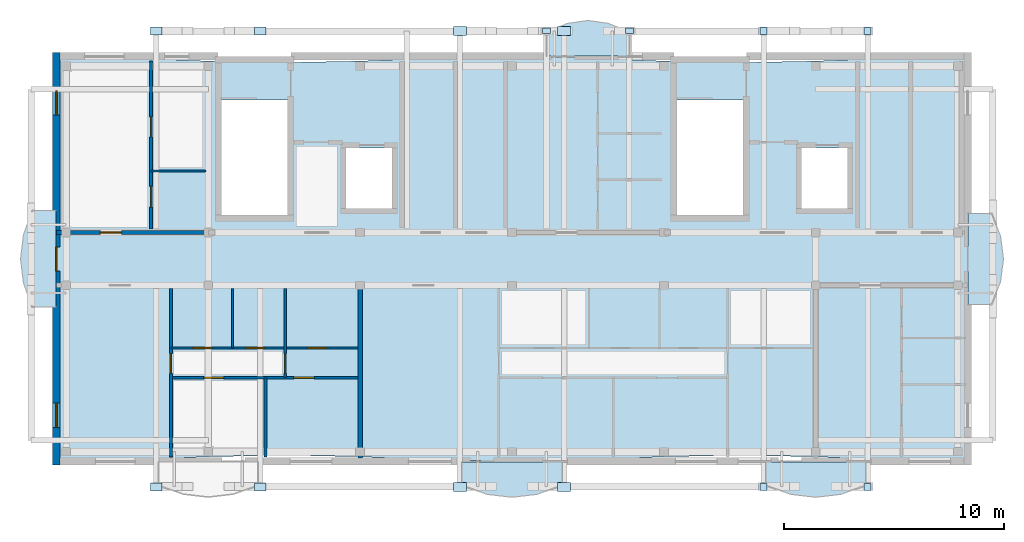
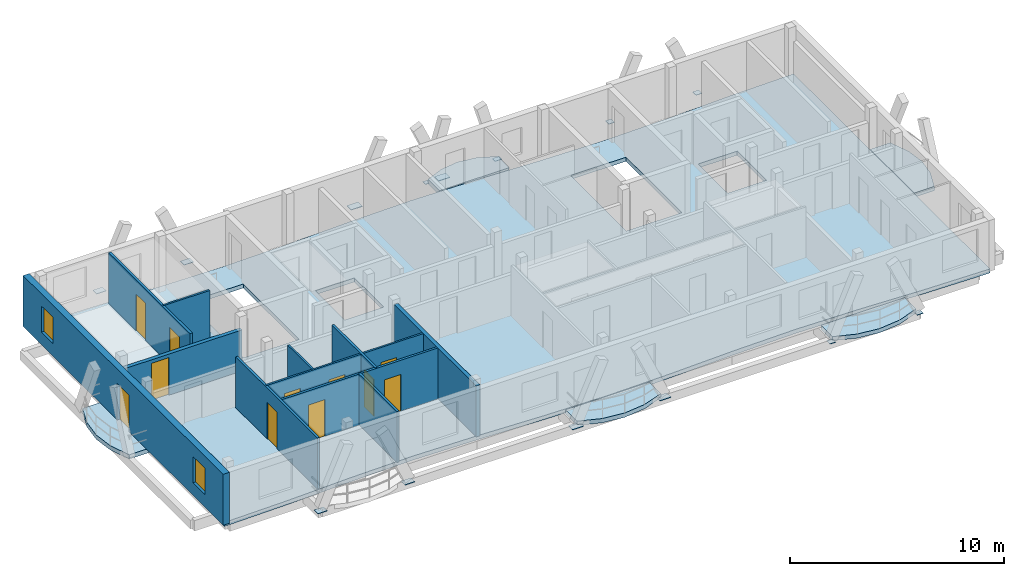
# One storey, part 2 of 7: 14 plates, 11 doors, 11 walls, 6 slabs, 2 windows, 13 openings.
"""IFC4 building model written with IfcOpenShell, lengths in metres."""

from ifc_helpers import new_model, si_unit, direction, frame, frame_2d, origin, origin_with_axes, origin_2d, place, context, subcontext, project, spatial, polyline, rectangle, outline, extrude, material, layer, layer_set, type_object, element, fill, save


model = new_model("IFC4")

# Units and contexts
model_context = context("Model", 3, precision=1e-05, world=origin(), true_north=direction((0.0, 1.0)))
body_context = subcontext(model_context, "Body", "Model", "MODEL_VIEW")
ifc_project = project(units=[si_unit("LENGTHUNIT", "METRE"), si_unit("AREAUNIT", "SQUARE_METRE"), si_unit("VOLUMEUNIT", "CUBIC_METRE"), si_unit("PLANEANGLEUNIT", "RADIAN"), si_unit("MASSUNIT", "GRAM", prefix="KILO")], contexts=[model_context])

# Site, building, storey
site_placement = place(None, origin())
site = spatial("IfcSite", under=ifc_project, at=site_placement, CompositionType="ELEMENT")
building_placement = place(site_placement, origin())
building = spatial("IfcBuilding", under=site, at=building_placement, Name="Zavelmont Quarter", CompositionType="ELEMENT")
storey_placement = place(building_placement, frame((0.0, 0.0, 46.39990234375)))
storey = spatial("IfcBuildingStorey", under=building, at=storey_placement, Name="L14", CompositionType="ELEMENT", Elevation=46.39990234375)

# Plates
ifc_material_1 = material(Name="Steel S355", Category="steel")
ifc_layer_1 = layer(ifc_material_1, 0.02392578125)
ifc_layer_set_1 = layer_set([ifc_layer_1], Name="Steel S355")
plate_type_1 = type_object("IfcPlateType", Name="NP02", PredefinedType="SHEET", material=ifc_layer_set_1)
for number, where, z_axis, x_axis, name in (
    (1, (22.267578125, 19.56201171875, -0.2119140625), (0.0, 0.0, 1.0), (1.0, 0.0, 0.0), "L14 steel connection plate NP02 at 4/D"),
    (2, (26.032470703125, 19.56201171875, -0.2119140625), (0.0, 0.0, 1.0), (1.0, 0.0, 0.0), "L14 steel connection plate NP02 at 5/D"),
):
    element("IfcPlate", number, at=place(storey_placement, frame(where, z_axis=z_axis, x_axis=x_axis)), inside=storey, type_object=plate_type_1, Name=name, PredefinedType="SHEET", context=body_context, shape_type="SweptSolid", body=[
        extrude(rectangle(XDim=0.360107421875, YDim=0.260009765625, at=origin_2d()), origin(), (0.0, 0.0, 1.0), 0.02392578125),
    ])
ifc_layer_2 = layer(ifc_material_1, 0.028076171875)
ifc_layer_set_2 = layer_set([ifc_layer_2], Name="Steel S355")
plate_type_2 = type_object("IfcPlateType", Name="NP04", PredefinedType="SHEET", material=ifc_layer_set_2)
for number, where, z_axis, x_axis, name in (
    (3, (4.537109375, -1.162109375, -0.2138671875), (0.0, 0.0, 1.0), (1.0, 0.0, 0.0), "L14 steel connection plate NP04 at 2/A"),
    (4, (9.262939453125, -1.162109375, -0.2138671875), (0.0, 0.0, 1.0), (1.0, 0.0, 0.0), "L14 steel connection plate NP04 at 2/A"),
    (5, (4.537109375, 19.56201171875, -0.2138671875), (0.0, 0.0, 1.0), (1.0, 0.0, 0.0), "L14 steel connection plate NP04 at 2/D"),
    (6, (9.262939453125, 19.56201171875, -0.2138671875), (0.0, 0.0, 1.0), (1.0, 0.0, 0.0), "L14 steel connection plate NP04 at 2/D"),
):
    element("IfcPlate", number, at=place(storey_placement, frame(where, z_axis=z_axis, x_axis=x_axis)), inside=storey, type_object=plate_type_2, Name=name, PredefinedType="SHEET", context=body_context, shape_type="SweptSolid", body=[
        extrude(rectangle(XDim=0.52001953125, YDim=0.360107421875, at=origin_2d()), origin(), (0.0, 0.0, 1.0), 0.028076171875),
    ])
ifc_layer_3 = layer(ifc_material_1, 0.030029296875)
ifc_layer_set_3 = layer_set([ifc_layer_3], Name="Steel S355")
plate_type_3 = type_object("IfcPlateType", Name="NP05", PredefinedType="SHEET", material=ifc_layer_set_3)
for number, where, z_axis, x_axis, name in (
    (7, (18.3369140625, -1.162109375, -0.21484375), (0.0, 0.0, 1.0), (1.0, 0.0, 0.0), "L14 steel connection plate NP05 at 4/A"),
    (8, (23.06298828125, -1.162109375, -0.21484375), (0.0, 0.0, 1.0), (1.0, 0.0, 0.0), "L14 steel connection plate NP05 at 4/A"),
    (9, (18.3369140625, 19.56201171875, -0.21484375), (0.0, 0.0, 1.0), (1.0, 0.0, 0.0), "L14 steel connection plate NP05 at 4/D"),
    (10, (23.06298828125, 19.56201171875, -0.21484375), (0.0, 0.0, 1.0), (1.0, 0.0, 0.0), "L14 steel connection plate NP05 at 4/D"),
):
    element("IfcPlate", number, at=place(storey_placement, frame(where, z_axis=z_axis, x_axis=x_axis)), inside=storey, type_object=plate_type_3, Name=name, PredefinedType="SHEET", context=body_context, shape_type="SweptSolid", body=[
        extrude(rectangle(XDim=0.60009765625, YDim=0.39990234375, at=origin_2d()), origin(), (0.0, 0.0, 1.0), 0.030029296875),
    ])
ifc_layer_4 = layer(ifc_material_1, 0.02197265625)
ifc_layer_set_4 = layer_set([ifc_layer_4], Name="Steel S355")
plate_type_4 = type_object("IfcPlateType", Name="NP06", PredefinedType="SHEET", material=ifc_layer_set_4)
for number, where, z_axis, x_axis, name in (
    (11, (32.136962890625, -1.162109375, -0.2109375), (0.0, 0.0, 1.0), (1.0, 0.0, 0.0), "L14 steel connection plate NP06 at 6/A"),
    (12, (36.863037109375, -1.162109375, -0.2109375), (0.0, 0.0, 1.0), (1.0, 0.0, 0.0), "L14 steel connection plate NP06 at 6/A"),
    (13, (32.136962890625, 19.56201171875, -0.2109375), (0.0, 0.0, 1.0), (1.0, 0.0, 0.0), "L14 steel connection plate NP06 at 6/D"),
    (14, (36.863037109375, 19.56201171875, -0.2109375), (0.0, 0.0, 1.0), (1.0, 0.0, 0.0), "L14 steel connection plate NP06 at 6/D"),
):
    element("IfcPlate", number, at=place(storey_placement, frame(where, z_axis=z_axis, x_axis=x_axis)), inside=storey, type_object=plate_type_4, Name=name, PredefinedType="SHEET", context=body_context, shape_type="SweptSolid", body=[
        extrude(rectangle(XDim=0.320068359375, YDim=0.320068359375, at=origin_2d()), origin(), (0.0, 0.0, 1.0), 0.02197265625),
    ])

# Slabs
ifc_material_2 = material(Name="White architectural precast concrete C40/50", Category="concrete")
ifc_layer_5 = layer(ifc_material_2, 0.235107421875)
ifc_layer_set_5 = layer_set([ifc_layer_5], Name="White architectural precast concrete C40/50")
slab_type_1 = type_object("IfcSlabType", Name="SL-BL180", PredefinedType="FLOOR", material=ifc_layer_set_5)
slab_1_placement = place(storey_placement, frame((0.0, 0.0, -0.23486328125)))
element("IfcSlab", 15, at=slab_1_placement, inside=storey, type_object=slab_type_1, Name="L14 Block A street vase 3 balcony SL-BL180", PredefinedType="FLOOR", context=body_context, shape_type="SweptSolid", body=[
    extrude(outline(polyline([(32.237060546875, -0.02001953125), (32.237060546875, -1.10009765625), (33.368408203125, -1.4990234375), (34.5, -1.632080078125), (35.631591796875, -1.4990234375), (36.762939453125, -1.10009765625), (36.762939453125, -0.02001953125), (32.237060546875, -0.02001953125)])), origin(), (0.0, 0.0, 1.0), 0.23486328125),
])
slab_2_placement = place(storey_placement, frame((0.0, 0.0, -0.23486328125)))
element("IfcSlab", 16, at=slab_2_placement, inside=storey, type_object=slab_type_1, Name="L14 Block A courtyard return vase balcony SL-BL180", PredefinedType="FLOOR", context=body_context, shape_type="SweptSolid", body=[
    extrude(outline(polyline([(41.419921875, 7.132568359375), (42.5, 7.132568359375), (42.89892578125, 8.166259765625), (43.031982421875, 9.199951171875), (42.89892578125, 10.233642578125), (42.5, 11.267578125), (41.419921875, 11.267578125), (41.419921875, 7.132568359375)])), origin(), (0.0, 0.0, 1.0), 0.23486328125),
])
ifc_layer_6 = layer(ifc_material_2, 0.2451171875)
ifc_layer_set_6 = layer_set([ifc_layer_6], Name="White architectural precast concrete C40/50")
slab_type_2 = type_object("IfcSlabType", Name="SL-BL200", PredefinedType="FLOOR", material=ifc_layer_set_6)
slab_3_placement = place(storey_placement, frame((0.0, 0.0, -0.244873046875)))
element("IfcSlab", 17, at=slab_3_placement, inside=storey, type_object=slab_type_2, Name="L14 Block A street vase 2 balcony SL-BL200", PredefinedType="FLOOR", context=body_context, shape_type="SweptSolid", body=[
    extrude(outline(polyline([(18.43701171875, -0.02001953125), (18.43701171875, -1.10009765625), (19.568603515625, -1.4990234375), (20.699951171875, -1.632080078125), (21.83154296875, -1.4990234375), (22.962890625, -1.10009765625), (22.962890625, -0.02001953125), (18.43701171875, -0.02001953125)])), origin(), (0.0, 0.0, 1.0), 0.244873046875),
])
slab_4_placement = place(storey_placement, frame((0.0, 0.0, -0.244873046875)))
element("IfcSlab", 18, at=slab_4_placement, inside=storey, type_object=slab_type_2, Name="L14 Block A boulevard vase balcony SL-BL200", PredefinedType="FLOOR", context=body_context, shape_type="SweptSolid", body=[
    extrude(outline(polyline([(-0.02001953125, 11.391845703125), (-1.10009765625, 11.391845703125), (-1.4990234375, 10.2958984375), (-1.632080078125, 9.199951171875), (-1.4990234375, 8.10400390625), (-1.10009765625, 7.00830078125), (-0.02001953125, 7.00830078125), (-0.02001953125, 11.391845703125)])), origin(), (0.0, 0.0, 1.0), 0.244873046875),
])
ifc_layer_7 = layer(ifc_material_2, 0.2548828125)
ifc_layer_set_7 = layer_set([ifc_layer_7], Name="White architectural precast concrete C40/50")
slab_type_3 = type_object("IfcSlabType", Name="SL-BL220", PredefinedType="FLOOR", material=ifc_layer_set_7)
slab_5_placement = place(storey_placement, frame((0.0, 0.0, -0.2548828125)))
element("IfcSlab", 19, at=slab_5_placement, inside=storey, type_object=slab_type_3, Name="L14 Block A courtyard central vase balcony SL-BL220", PredefinedType="FLOOR", context=body_context, shape_type="SweptSolid", body=[
    extrude(outline(polyline([(26.032470703125, 18.419921875), (26.032470703125, 19.5), (25.09130859375, 19.89892578125), (24.14990234375, 20.031982421875), (23.208740234375, 19.89892578125), (22.267578125, 19.5), (22.267578125, 18.419921875), (26.032470703125, 18.419921875)])), origin(), (0.0, 0.0, 1.0), 0.2548828125),
])
ifc_material_3 = material(Name="Concrete C35/45", Category="concrete")
ifc_layer_8 = layer(ifc_material_3, 0.22998046875)
ifc_layer_set_8 = layer_set([ifc_layer_8], Name="Concrete C35/45")
slab_type_4 = type_object("IfcSlabType", Name="SL-FL230", PredefinedType="FLOOR", material=ifc_layer_set_8)
slab_6_placement = place(storey_placement, frame((0.0, 0.0, -0.22998046875)))
element("IfcSlab", 20, at=slab_6_placement, inside=storey, type_object=slab_type_4, Name="L14 Block A floor slab SL-FL230", PredefinedType="FLOOR", context=body_context, shape_type="SweptSolid", body=[
    extrude(outline(polyline([(0.0, 0.0), (3.449951171875, 0.070068359375), (6.89990234375, 0.2099609375), (10.35009765625, 0.280029296875), (13.800048828125, 0.2099609375), (17.25, 0.070068359375), (20.699951171875, 0.0), (24.14990234375, 0.070068359375), (27.60009765625, 0.2099609375), (31.050048828125, 0.280029296875), (34.5, 0.2099609375), (37.949951171875, 0.070068359375), (41.39990234375, 0.0), (41.39990234375, 3.679931640625), (41.39990234375, 7.360107421875), (41.39990234375, 11.0400390625), (41.39990234375, 14.719970703125), (41.39990234375, 18.39990234375), (37.949951171875, 18.330078125), (34.5, 18.18994140625), (31.050048828125, 18.1201171875), (27.60009765625, 18.18994140625), (24.14990234375, 18.330078125), (20.699951171875, 18.39990234375), (17.25, 18.330078125), (13.800048828125, 18.18994140625), (10.35009765625, 18.1201171875), (6.89990234375, 18.18994140625), (3.449951171875, 18.330078125), (0.0, 18.39990234375), (0.0, 14.719970703125), (0.0, 11.0400390625), (0.0, 7.360107421875), (0.0, 3.679931640625), (0.0, 0.0)]), holes=[polyline([(7.5, 16.425048828125), (7.5, 11.199951171875), (10.5, 11.199951171875), (10.5, 16.425048828125), (7.5, 16.425048828125)]), polyline([(13.14990234375, 11.5), (15.25, 11.5), (15.25, 14.25), (13.14990234375, 14.25), (13.14990234375, 11.5)]), polyline([(28.199951171875, 16.425048828125), (28.199951171875, 11.199951171875), (31.199951171875, 11.199951171875), (31.199951171875, 16.425048828125), (28.199951171875, 16.425048828125)]), polyline([(33.85009765625, 11.5), (35.949951171875, 11.5), (35.949951171875, 14.25), (33.85009765625, 14.25), (33.85009765625, 11.5)])]), origin(), (0.0, 0.0, 1.0), 0.22998046875),
])

# Wall, openings, door, windows
ifc_material_4 = material(Name="Natural Belgian limestone", Category="masonry")
ifc_layer_9 = layer(ifc_material_4, 0.340087890625)
ifc_layer_set_9 = layer_set([ifc_layer_9], Name="Natural Belgian limestone")
wall_type_1 = type_object("IfcWallType", Name="EW03", PredefinedType="STANDARD", material=ifc_layer_set_9)
wall_1_placement = place(storey_placement, frame((0.0, -0.169921875, 0.0), z_axis=(0.0, 0.0, 1.0), x_axis=(0.0, 1.0, 0.0)))
wall_1 = element("IfcWall", 21, at=wall_1_placement, inside=storey, type_object=wall_type_1, Name="L14 exterior limestone wall EW03", PredefinedType="STANDARD", context=body_context, shape_type="SweptSolid", body=[
    extrude(rectangle(XDim=18.739990234375, YDim=0.340087890625, at=frame_2d((9.3701171875, 0.0))), origin(), (0.0, 0.0, 1.0), 2.91015625),
])
opening_1_placement = place(wall_1_placement, frame((8.820068359375, 0.0, 0.0)))
opening_1 = element("IfcOpeningElement", 22, at=opening_1_placement, cuts=wall_1, Name="Opening DR04B", PredefinedType="OPENING", context=body_context, shape_type="SweptSolid", body=[
    extrude(rectangle(XDim=1.10009765625, YDim=2.10009765625, at=frame_2d((0.550048828125, 1.050048828125))), frame((0.0, 0.18212890625, 0.0), z_axis=(0.0, -1.0, 0.0), x_axis=(1.0, 0.0, 0.0)), (0.0, 0.0, 1.0), 0.364013671875),
])
opening_2_placement = place(wall_1_placement, frame((1.719970703125, 0.0, 0.719970703125)))
opening_2 = element("IfcOpeningElement", 23, at=opening_2_placement, cuts=wall_1, Name="Opening WN09", PredefinedType="OPENING", context=body_context, shape_type="SweptSolid", body=[
    extrude(rectangle(XDim=1.10009765625, YDim=1.5, at=frame_2d((0.550048828125, 0.75))), frame((0.0, 0.18212890625, 0.0), z_axis=(0.0, -1.0, 0.0), x_axis=(1.0, 0.0, 0.0)), (0.0, 0.0, 1.0), 0.364013671875),
])
opening_3_placement = place(wall_1_placement, frame((15.919921875, 0.0, 0.719970703125)))
opening_3 = element("IfcOpeningElement", 24, at=opening_3_placement, cuts=wall_1, Name="Opening WN09", PredefinedType="OPENING", context=body_context, shape_type="SweptSolid", body=[
    extrude(rectangle(XDim=1.10009765625, YDim=1.5, at=frame_2d((0.550048828125, 0.75))), frame((0.0, 0.18212890625, 0.0), z_axis=(0.0, -1.0, 0.0), x_axis=(1.0, 0.0, 0.0)), (0.0, 0.0, 1.0), 0.364013671875),
])
ifc_material_5 = material(Name="Thermally broken aluminium and double safety glass", Category="aluminium")
door_type_1 = type_object("IfcDoorType", Name="DR04B", OperationType="NOTDEFINED", PredefinedType="DOOR", material=ifc_material_5)
door_1_placement = place(opening_1_placement, frame((1.10009765625, 0.0, 0.0), z_axis=(0.0, 0.0, 1.0), x_axis=(-1.0, 0.0, 0.0)))
door_1 = element("IfcDoor", 25, at=door_1_placement, inside=storey, type_object=door_type_1, Name="Block A L14 terrace or vase balcony door", OperationType="SINGLE_SWING_RIGHT", OverallHeight=2.10009765625, OverallWidth=1.10009765625, PredefinedType="DOOR", context=body_context, shape_type="SweptSolid", body=[
    extrude(rectangle(XDim=1.10009765625, YDim=2.10009765625, at=frame_2d((0.550048828125, 1.050048828125))), frame((0.0, 0.02490234375, 0.0), z_axis=(0.0, -1.0, 0.0), x_axis=(1.0, 0.0, 0.0)), (0.0, 0.0, 1.0), 0.050048828125),
])
fill(opening_1, door_1)
ifc_material_6 = material(Name="Double low-E insulated glazing in thermally broken aluminium frame", Category="aluminium")
window_type = type_object("IfcWindowType", Name="WN09", PartitioningType="SINGLE_PANEL", PredefinedType="WINDOW", material=ifc_material_6)
window_1_placement = place(opening_2_placement, origin_with_axes())
window_1 = element("IfcWindow", 26, at=window_1_placement, inside=storey, type_object=window_type, Name="L14 window WN09", OverallHeight=1.5, OverallWidth=1.10009765625, PartitioningType="SINGLE_PANEL", PredefinedType="WINDOW", context=body_context, shape_type="SweptSolid", body=[
    extrude(rectangle(XDim=1.10009765625, YDim=1.5, at=frame_2d((0.550048828125, 0.75))), frame((0.0, 0.030029296875, 0.0), z_axis=(0.0, -1.0, 0.0), x_axis=(1.0, 0.0, 0.0)), (0.0, 0.0, 1.0), 0.06005859375),
])
fill(opening_2, window_1)
window_2_placement = place(opening_3_placement, origin_with_axes())
window_2 = element("IfcWindow", 27, at=window_2_placement, inside=storey, type_object=window_type, Name="L14 window WN09", OverallHeight=1.5, OverallWidth=1.10009765625, PartitioningType="SINGLE_PANEL", PredefinedType="WINDOW", context=body_context, shape_type="SweptSolid", body=[
    extrude(rectangle(XDim=1.10009765625, YDim=1.5, at=frame_2d((0.550048828125, 0.75))), frame((0.0, 0.030029296875, 0.0), z_axis=(0.0, -1.0, 0.0), x_axis=(1.0, 0.0, 0.0)), (0.0, 0.0, 1.0), 0.06005859375),
])
fill(opening_3, window_2)

# Wall
ifc_material_7 = material(Name="Calcium-silicate blockwork and acoustic plaster", Category="masonry")
ifc_layer_10 = layer(ifc_material_7, 0.199951171875)
ifc_layer_set_10 = layer_set([ifc_layer_10], Name="Calcium-silicate blockwork and acoustic plaster")
wall_type_2 = type_object("IfcWallType", Name="IW01", PredefinedType="PARTITIONING", material=ifc_layer_set_10)
wall_2_placement = place(storey_placement, frame((13.800048828125, 7.85009765625, 0.0), z_axis=(0.0, 0.0, 1.0), x_axis=(0.0, -1.0, 0.0)))
element("IfcWall", 28, at=wall_2_placement, inside=storey, type_object=wall_type_2, Name="L14 Inter-dwelling compartment wall IW01", PredefinedType="PARTITIONING", context=body_context, shape_type="SweptSolid", body=[
    extrude(rectangle(XDim=7.7001953125, YDim=0.199951171875, at=frame_2d((3.85009765625, 0.0))), origin(), (0.0, 0.0, 1.0), 2.91015625),
])

# Wall, opening, door
wall_3_placement = place(storey_placement, frame((0.0, 10.39990234375, 0.0), z_axis=(0.0, 0.0, 1.0), x_axis=(1.0, 0.0, 0.0)))
wall_3 = element("IfcWall", 29, at=wall_3_placement, inside=storey, type_object=wall_type_2, Name="L14 Corridor compartment wall IW01", PredefinedType="PARTITIONING", context=body_context, shape_type="SweptSolid", body=[
    extrude(rectangle(XDim=6.89990234375, YDim=0.199951171875, at=frame_2d((3.449951171875, 0.0))), origin(), (0.0, 0.0, 1.0), 2.35009765625),
])
opening_4_placement = place(wall_3_placement, frame((2.0, 0.0, 0.0)))
opening_4 = element("IfcOpeningElement", 30, at=opening_4_placement, cuts=wall_3, Name="Opening DR02", PredefinedType="OPENING", context=body_context, shape_type="SweptSolid", body=[
    extrude(rectangle(XDim=0.949951171875, YDim=2.14990234375, at=frame_2d((0.47509765625, 1.074951171875))), frame((0.0, 0.11181640625, 0.0), z_axis=(0.0, -1.0, 0.0), x_axis=(1.0, 0.0, 0.0)), (0.0, 0.0, 1.0), 0.223876953125),
])
ifc_material_8 = material(Name="Solid-core oak fire leaf in steel frame", Category="steel")
door_type_2 = type_object("IfcDoorType", Name="DR02", OperationType="NOTDEFINED", PredefinedType="DOOR", material=ifc_material_8)
door_2_placement = place(opening_4_placement, origin_with_axes())
door_2 = element("IfcDoor", 31, at=door_2_placement, inside=storey, type_object=door_type_2, Name="L14 door DR02", OperationType="SINGLE_SWING_RIGHT", OverallHeight=2.14990234375, OverallWidth=0.949951171875, PredefinedType="DOOR", context=body_context, shape_type="SweptSolid", body=[
    extrude(rectangle(XDim=0.949951171875, YDim=2.14990234375, at=frame_2d((0.47509765625, 1.074951171875))), frame((0.0, 0.02490234375, 0.0), z_axis=(0.0, -1.0, 0.0), x_axis=(1.0, 0.0, 0.0)), (0.0, 0.0, 1.0), 0.050048828125),
])
fill(opening_4, door_2)

ifc_material_9 = material(Name="Double gypsum board on acoustic steel stud", Category="steel")
ifc_layer_11 = layer(ifc_material_9, 0.125)
ifc_layer_set_11 = layer_set([ifc_layer_11], Name="Double gypsum board on acoustic steel stud")
wall_type_3 = type_object("IfcWallType", Name="IW03", PredefinedType="PARTITIONING", material=ifc_layer_set_11)
wall_4_placement = place(storey_placement, frame((5.199951171875, 7.85009765625, 0.0), z_axis=(0.0, 0.0, 1.0), x_axis=(0.0, -1.0, 0.0)))
wall_4 = element("IfcWall", 32, at=wall_4_placement, inside=storey, type_object=wall_type_3, Name="L14 Partition IW03", PredefinedType="PARTITIONING", context=body_context, shape_type="SweptSolid", body=[
    extrude(rectangle(XDim=7.650146484375, YDim=0.125, at=frame_2d((3.8251953125, 0.0))), origin(), (0.0, 0.0, 1.0), 2.91015625),
])
opening_5_placement = place(wall_4_placement, frame((2.949951171875, 0.0, 0.0)))
opening_5 = element("IfcOpeningElement", 33, at=opening_5_placement, cuts=wall_4, Name="Opening DR05", PredefinedType="OPENING", context=body_context, shape_type="SweptSolid", body=[
    extrude(rectangle(XDim=0.89990234375, YDim=2.10009765625, at=frame_2d((0.449951171875, 1.050048828125))), frame((0.0, 0.074462890625, 0.0), z_axis=(0.0, -1.0, 0.0), x_axis=(1.0, 0.0, 0.0)), (0.0, 0.0, 1.0), 0.14892578125),
])
ifc_material_10 = material(Name="Engineered oak flush interior door")
door_type_3 = type_object("IfcDoorType", Name="DR05", OperationType="NOTDEFINED", PredefinedType="DOOR", material=ifc_material_10)
door_3_placement = place(opening_5_placement, frame((0.89990234375, 0.0, 0.0), z_axis=(0.0, 0.0, 1.0), x_axis=(-1.0, 0.0, 0.0)))
door_3 = element("IfcDoor", 34, at=door_3_placement, inside=storey, type_object=door_type_3, Name="L14 door DR05", OperationType="SINGLE_SWING_LEFT", OverallHeight=2.10009765625, OverallWidth=0.89990234375, PredefinedType="DOOR", context=body_context, shape_type="SweptSolid", body=[
    extrude(rectangle(XDim=0.89990234375, YDim=2.10009765625, at=frame_2d((0.449951171875, 1.050048828125))), frame((0.0, 0.02490234375, 0.0), z_axis=(0.0, -1.0, 0.0), x_axis=(1.0, 0.0, 0.0)), (0.0, 0.0, 1.0), 0.050048828125),
])
fill(opening_5, door_3)

wall_5_placement = place(storey_placement, frame((10.39990234375, 7.85009765625, 0.0), z_axis=(0.0, 0.0, 1.0), x_axis=(0.0, -1.0, 0.0)))
wall_5 = element("IfcWall", 35, at=wall_5_placement, inside=storey, type_object=wall_type_3, Name="L14 Partition IW03", PredefinedType="PARTITIONING", context=body_context, shape_type="SweptSolid", body=[
    extrude(rectangle(XDim=4.050048828125, YDim=0.125, at=frame_2d((2.02490234375, 0.0))), origin(), (0.0, 0.0, 1.0), 2.91015625),
])
opening_6_placement = place(wall_5_placement, frame((2.949951171875, 0.0, 0.0)))
opening_6 = element("IfcOpeningElement", 36, at=opening_6_placement, cuts=wall_5, Name="Opening DR05", PredefinedType="OPENING", context=body_context, shape_type="SweptSolid", body=[
    extrude(rectangle(XDim=0.89990234375, YDim=2.10009765625, at=frame_2d((0.449951171875, 1.050048828125))), frame((0.0, 0.074462890625, 0.0), z_axis=(0.0, -1.0, 0.0), x_axis=(1.0, 0.0, 0.0)), (0.0, 0.0, 1.0), 0.14892578125),
])
door_4_placement = place(opening_6_placement, origin_with_axes())
door_4 = element("IfcDoor", 37, at=door_4_placement, inside=storey, type_object=door_type_3, Name="L14 door DR05", OperationType="SINGLE_SWING_RIGHT", OverallHeight=2.10009765625, OverallWidth=0.89990234375, PredefinedType="DOOR", context=body_context, shape_type="SweptSolid", body=[
    extrude(rectangle(XDim=0.89990234375, YDim=2.10009765625, at=frame_2d((0.449951171875, 1.050048828125))), frame((0.0, 0.02490234375, 0.0), z_axis=(0.0, -1.0, 0.0), x_axis=(1.0, 0.0, 0.0)), (0.0, 0.0, 1.0), 0.050048828125),
])
fill(opening_6, door_4)

# Wall
wall_6_placement = place(storey_placement, frame((9.5, 3.800048828125, 0.0), z_axis=(0.0, 0.0, 1.0), x_axis=(0.0, -1.0, 0.0)))
element("IfcWall", 38, at=wall_6_placement, inside=storey, type_object=wall_type_3, Name="L14 Partition IW03", PredefinedType="PARTITIONING", context=body_context, shape_type="SweptSolid", body=[
    extrude(rectangle(XDim=3.60009765625, YDim=0.125, at=frame_2d((1.800048828125, 0.0))), origin(), (0.0, 0.0, 1.0), 2.91015625),
])

# Wall, openings, doors
wall_7_placement = place(storey_placement, frame((5.199951171875, 3.800048828125, 0.0), z_axis=(0.0, 0.0, 1.0), x_axis=(1.0, 0.0, 0.0)))
wall_7 = element("IfcWall", 39, at=wall_7_placement, inside=storey, type_object=wall_type_3, Name="L14 Partition IW03", PredefinedType="PARTITIONING", context=body_context, shape_type="SweptSolid", body=[
    extrude(rectangle(XDim=8.5, YDim=0.125, at=frame_2d((4.25, 0.0))), origin(), (0.0, 0.0, 1.0), 2.91015625),
])
opening_7_placement = place(wall_7_placement, frame((1.5, 0.0, 0.0)))
opening_7 = element("IfcOpeningElement", 40, at=opening_7_placement, cuts=wall_7, Name="Opening DR05", PredefinedType="OPENING", context=body_context, shape_type="SweptSolid", body=[
    extrude(rectangle(XDim=0.89990234375, YDim=2.10009765625, at=frame_2d((0.449951171875, 1.050048828125))), frame((0.0, 0.074462890625, 0.0), z_axis=(0.0, -1.0, 0.0), x_axis=(1.0, 0.0, 0.0)), (0.0, 0.0, 1.0), 0.14892578125),
])
opening_8_placement = place(wall_7_placement, frame((5.60009765625, 0.0, 0.0)))
opening_8 = element("IfcOpeningElement", 41, at=opening_8_placement, cuts=wall_7, Name="Opening DR05", PredefinedType="OPENING", context=body_context, shape_type="SweptSolid", body=[
    extrude(rectangle(XDim=0.89990234375, YDim=2.10009765625, at=frame_2d((0.449951171875, 1.050048828125))), frame((0.0, 0.074462890625, 0.0), z_axis=(0.0, -1.0, 0.0), x_axis=(1.0, 0.0, 0.0)), (0.0, 0.0, 1.0), 0.14892578125),
])
door_5_placement = place(opening_7_placement, origin_with_axes())
door_5 = element("IfcDoor", 42, at=door_5_placement, inside=storey, type_object=door_type_3, Name="L14 door DR05", OperationType="SINGLE_SWING_RIGHT", OverallHeight=2.10009765625, OverallWidth=0.89990234375, PredefinedType="DOOR", context=body_context, shape_type="SweptSolid", body=[
    extrude(rectangle(XDim=0.89990234375, YDim=2.10009765625, at=frame_2d((0.449951171875, 1.050048828125))), frame((0.0, 0.02490234375, 0.0), z_axis=(0.0, -1.0, 0.0), x_axis=(1.0, 0.0, 0.0)), (0.0, 0.0, 1.0), 0.050048828125),
])
fill(opening_7, door_5)
door_6_placement = place(opening_8_placement, frame((0.89990234375, 0.0, 0.0), z_axis=(0.0, 0.0, 1.0), x_axis=(-1.0, 0.0, 0.0)))
door_6 = element("IfcDoor", 43, at=door_6_placement, inside=storey, type_object=door_type_3, Name="L14 door DR05", OperationType="SINGLE_SWING_LEFT", OverallHeight=2.10009765625, OverallWidth=0.89990234375, PredefinedType="DOOR", context=body_context, shape_type="SweptSolid", body=[
    extrude(rectangle(XDim=0.89990234375, YDim=2.10009765625, at=frame_2d((0.449951171875, 1.050048828125))), frame((0.0, 0.02490234375, 0.0), z_axis=(0.0, -1.0, 0.0), x_axis=(1.0, 0.0, 0.0)), (0.0, 0.0, 1.0), 0.050048828125),
])
fill(opening_8, door_6)

wall_8_placement = place(storey_placement, frame((4.300048828125, 10.550048828125, 0.0), z_axis=(0.0, 0.0, 1.0), x_axis=(0.0, 1.0, 0.0)))
wall_8 = element("IfcWall", 44, at=wall_8_placement, inside=storey, type_object=wall_type_3, Name="L14 Partition IW03", PredefinedType="PARTITIONING", context=body_context, shape_type="SweptSolid", body=[
    extrude(rectangle(XDim=7.64990234375, YDim=0.125, at=frame_2d((3.824951171875, 0.0))), origin(), (0.0, 0.0, 1.0), 2.91015625),
])
opening_9_placement = place(wall_8_placement, frame((1.0, 0.0, 0.0)))
opening_9 = element("IfcOpeningElement", 45, at=opening_9_placement, cuts=wall_8, Name="Opening DR17", PredefinedType="OPENING", context=body_context, shape_type="SweptSolid", body=[
    extrude(rectangle(XDim=0.949951171875, YDim=2.10009765625, at=frame_2d((0.47509765625, 1.050048828125))), frame((0.0, 0.074462890625, 0.0), z_axis=(0.0, -1.0, 0.0), x_axis=(1.0, 0.0, 0.0)), (0.0, 0.0, 1.0), 0.14892578125),
])
opening_10_placement = place(wall_8_placement, frame((4.199951171875, 0.0, 0.0)))
opening_10 = element("IfcOpeningElement", 46, at=opening_10_placement, cuts=wall_8, Name="Opening DR05", PredefinedType="OPENING", context=body_context, shape_type="SweptSolid", body=[
    extrude(rectangle(XDim=0.89990234375, YDim=2.10009765625, at=frame_2d((0.449951171875, 1.050048828125))), frame((0.0, 0.074462890625, 0.0), z_axis=(0.0, -1.0, 0.0), x_axis=(1.0, 0.0, 0.0)), (0.0, 0.0, 1.0), 0.14892578125),
])
door_7_placement = place(opening_10_placement, frame((0.89990234375, 0.0, 0.0), z_axis=(0.0, 0.0, 1.0), x_axis=(-1.0, 0.0, 0.0)))
door_7 = element("IfcDoor", 47, at=door_7_placement, inside=storey, type_object=door_type_3, Name="L14 door DR05", OperationType="SINGLE_SWING_LEFT", OverallHeight=2.10009765625, OverallWidth=0.89990234375, PredefinedType="DOOR", context=body_context, shape_type="SweptSolid", body=[
    extrude(rectangle(XDim=0.89990234375, YDim=2.10009765625, at=frame_2d((0.449951171875, 1.050048828125))), frame((0.0, 0.02490234375, 0.0), z_axis=(0.0, -1.0, 0.0), x_axis=(1.0, 0.0, 0.0)), (0.0, 0.0, 1.0), 0.050048828125),
])
fill(opening_10, door_7)
ifc_material_11 = material(Name="Accessible washroom flush door")
door_type_4 = type_object("IfcDoorType", Name="DR17", OperationType="NOTDEFINED", PredefinedType="DOOR", material=ifc_material_11)
door_8_placement = place(opening_9_placement, origin_with_axes())
door_8 = element("IfcDoor", 48, at=door_8_placement, inside=storey, type_object=door_type_4, Name="L14 door DR17", OperationType="SINGLE_SWING_RIGHT", OverallHeight=2.10009765625, OverallWidth=0.949951171875, PredefinedType="DOOR", context=body_context, shape_type="SweptSolid", body=[
    extrude(rectangle(XDim=0.949951171875, YDim=2.10009765625, at=frame_2d((0.47509765625, 1.050048828125))), frame((0.0, 0.02490234375, 0.0), z_axis=(0.0, -1.0, 0.0), x_axis=(1.0, 0.0, 0.0)), (0.0, 0.0, 1.0), 0.050048828125),
])
fill(opening_9, door_8)

# Wall
ifc_material_12 = material(Name="Moisture-resistant gypsum board on steel stud", Category="steel")
ifc_layer_12 = layer(ifc_material_12, 0.10009765625)
ifc_layer_set_12 = layer_set([ifc_layer_12], Name="Moisture-resistant gypsum board on steel stud")
wall_type_4 = type_object("IfcWallType", Name="IW04", PredefinedType="PARTITIONING", material=ifc_layer_set_12)
wall_9_placement = place(storey_placement, frame((8.0, 7.85009765625, 0.0), z_axis=(0.0, 0.0, 1.0), x_axis=(0.0, -1.0, 0.0)))
element("IfcWall", 49, at=wall_9_placement, inside=storey, type_object=wall_type_4, Name="L14 Partition IW04", PredefinedType="PARTITIONING", context=body_context, shape_type="SweptSolid", body=[
    extrude(rectangle(XDim=2.7001953125, YDim=0.10009765625, at=frame_2d((1.35009765625, 0.0))), origin(), (0.0, 0.0, 1.0), 2.590087890625),
])

# Wall, openings, doors
wall_10_placement = place(storey_placement, frame((5.199951171875, 5.14990234375, 0.0), z_axis=(0.0, 0.0, 1.0), x_axis=(1.0, 0.0, 0.0)))
wall_10 = element("IfcWall", 50, at=wall_10_placement, inside=storey, type_object=wall_type_4, Name="L14 Partition IW04", PredefinedType="PARTITIONING", context=body_context, shape_type="SweptSolid", body=[
    extrude(rectangle(XDim=8.5, YDim=0.10009765625, at=frame_2d((4.25, 0.0))), origin(), (0.0, 0.0, 1.0), 2.91015625),
])
opening_11_placement = place(wall_10_placement, frame((1.0, 0.0, 0.0)))
opening_11 = element("IfcOpeningElement", 51, at=opening_11_placement, cuts=wall_10, Name="Opening DR16", PredefinedType="OPENING", context=body_context, shape_type="SweptSolid", body=[
    extrude(rectangle(XDim=0.85009765625, YDim=2.10009765625, at=frame_2d((0.425048828125, 1.050048828125))), frame((0.0, 0.06201171875, 0.0), z_axis=(0.0, -1.0, 0.0), x_axis=(1.0, 0.0, 0.0)), (0.0, 0.0, 1.0), 0.1240234375),
])
opening_12_placement = place(wall_10_placement, frame((3.39990234375, 0.0, 0.0)))
opening_12 = element("IfcOpeningElement", 52, at=opening_12_placement, cuts=wall_10, Name="Opening DR06", PredefinedType="OPENING", context=body_context, shape_type="SweptSolid", body=[
    extrude(rectangle(XDim=0.85009765625, YDim=2.050048828125, at=frame_2d((0.425048828125, 1.02490234375))), frame((0.0, 0.06201171875, 0.0), z_axis=(0.0, -1.0, 0.0), x_axis=(1.0, 0.0, 0.0)), (0.0, 0.0, 1.0), 0.1240234375),
])
opening_13_placement = place(wall_10_placement, frame((6.199951171875, 0.0, 0.0)))
opening_13 = element("IfcOpeningElement", 53, at=opening_13_placement, cuts=wall_10, Name="Opening DR06", PredefinedType="OPENING", context=body_context, shape_type="SweptSolid", body=[
    extrude(rectangle(XDim=0.85009765625, YDim=2.050048828125, at=frame_2d((0.425048828125, 1.02490234375))), frame((0.0, 0.06201171875, 0.0), z_axis=(0.0, -1.0, 0.0), x_axis=(1.0, 0.0, 0.0)), (0.0, 0.0, 1.0), 0.1240234375),
])
ifc_material_13 = material(Name="Moisture-resistant painted wet-room door")
door_type_5 = type_object("IfcDoorType", Name="DR06", OperationType="NOTDEFINED", PredefinedType="DOOR", material=ifc_material_13)
door_9_placement = place(opening_12_placement, origin_with_axes())
door_9 = element("IfcDoor", 54, at=door_9_placement, inside=storey, type_object=door_type_5, Name="L14 door DR06", OperationType="SINGLE_SWING_RIGHT", OverallHeight=2.050048828125, OverallWidth=0.85009765625, PredefinedType="DOOR", context=body_context, shape_type="SweptSolid", body=[
    extrude(rectangle(XDim=0.85009765625, YDim=2.050048828125, at=frame_2d((0.425048828125, 1.02490234375))), frame((0.0, 0.02490234375, 0.0), z_axis=(0.0, -1.0, 0.0), x_axis=(1.0, 0.0, 0.0)), (0.0, 0.0, 1.0), 0.050048828125),
])
fill(opening_12, door_9)
door_10_placement = place(opening_13_placement, frame((0.85009765625, 0.0, 0.0), z_axis=(0.0, 0.0, 1.0), x_axis=(-1.0, 0.0, 0.0)))
door_10 = element("IfcDoor", 55, at=door_10_placement, inside=storey, type_object=door_type_5, Name="L14 door DR06", OperationType="SINGLE_SWING_LEFT", OverallHeight=2.050048828125, OverallWidth=0.85009765625, PredefinedType="DOOR", context=body_context, shape_type="SweptSolid", body=[
    extrude(rectangle(XDim=0.85009765625, YDim=2.050048828125, at=frame_2d((0.425048828125, 1.02490234375))), frame((0.0, 0.02490234375, 0.0), z_axis=(0.0, -1.0, 0.0), x_axis=(1.0, 0.0, 0.0)), (0.0, 0.0, 1.0), 0.050048828125),
])
fill(opening_13, door_10)
door_type_6 = type_object("IfcDoorType", Name="DR16", OperationType="NOTDEFINED", PredefinedType="DOOR", material=ifc_material_10)
door_11_placement = place(opening_11_placement, frame((0.85009765625, 0.0, 0.0), z_axis=(0.0, 0.0, 1.0), x_axis=(-1.0, 0.0, 0.0)))
door_11 = element("IfcDoor", 56, at=door_11_placement, inside=storey, type_object=door_type_6, Name="L14 door DR16", OperationType="SINGLE_SWING_LEFT", OverallHeight=2.10009765625, OverallWidth=0.85009765625, PredefinedType="DOOR", context=body_context, shape_type="SweptSolid", body=[
    extrude(rectangle(XDim=0.85009765625, YDim=2.10009765625, at=frame_2d((0.425048828125, 1.050048828125))), frame((0.0, 0.02490234375, 0.0), z_axis=(0.0, -1.0, 0.0), x_axis=(1.0, 0.0, 0.0)), (0.0, 0.0, 1.0), 0.050048828125),
])
fill(opening_11, door_11)

# Wall
wall_11_placement = place(storey_placement, frame((4.300048828125, 13.199951171875, 0.0), z_axis=(0.0, 0.0, 1.0), x_axis=(1.0, 0.0, 0.0)))
element("IfcWall", 57, at=wall_11_placement, inside=storey, type_object=wall_type_4, Name="L14 Partition IW04", PredefinedType="PARTITIONING", context=body_context, shape_type="SweptSolid", body=[
    extrude(rectangle(XDim=2.5, YDim=0.10009765625, at=frame_2d((1.25, 0.0))), origin(), (0.0, 0.0, 1.0), 2.91015625),
])

save(model, "model.ifc")
